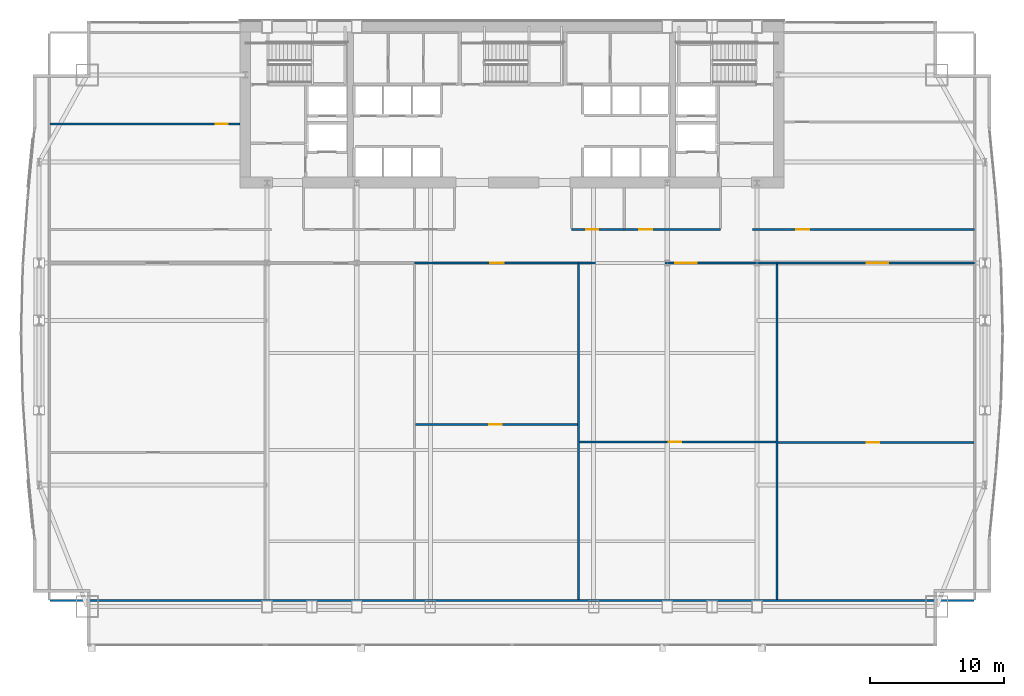
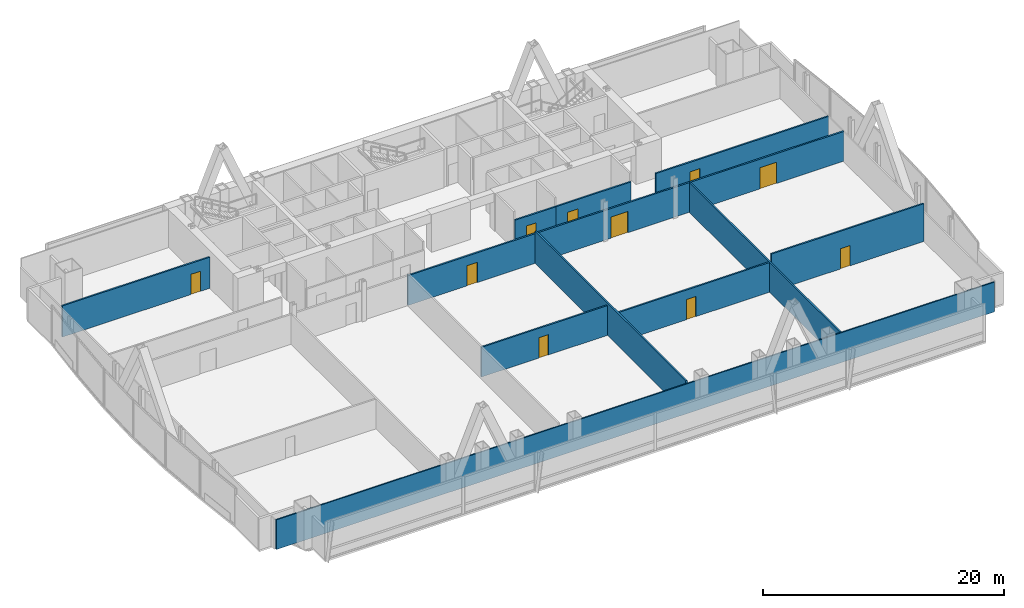
# One storey, part 28 of 33: 13 walls, 10 doors, 10 openings.
"""IFC4 building model written with IfcOpenShell, lengths in metres."""

from ifc_helpers import new_model, si_unit, direction, frame, frame_2d, origin, place, context, subcontext, project, spatial, rectangle, extrude, material, layer, layer_set, type_object, element, fill, save


model = new_model("IFC4")

# Units and contexts
model_context = context("Model", 3, precision=1e-05, world=origin(), true_north=direction((0.0, 1.0)))
body_context = subcontext(model_context, "Body", "Model", "MODEL_VIEW")
ifc_project = project(units=[si_unit("LENGTHUNIT", "METRE"), si_unit("AREAUNIT", "SQUARE_METRE"), si_unit("VOLUMEUNIT", "CUBIC_METRE"), si_unit("PLANEANGLEUNIT", "RADIAN"), si_unit("MASSUNIT", "GRAM", prefix="KILO")], contexts=[model_context])

# Site, building, storey
site_placement = place(None, origin())
site = spatial("IfcSite", under=ifc_project, at=site_placement, CompositionType="ELEMENT")
building_placement = place(site_placement, origin())
building = spatial("IfcBuilding", under=site, at=building_placement, Name="Khoronbel Lancet Exchange", CompositionType="ELEMENT")
storey_placement = place(building_placement, frame((0.0, 0.0, 73.800048828125)))
storey = spatial("IfcBuildingStorey", under=building, at=storey_placement, Name="L17", CompositionType="ELEMENT", Elevation=73.800048828125)

# Wall, opening, door
ifc_material_1 = material(Name="Acoustic Metal-Stud & Mineral-Wool Gypsum Partition 120 mm", Category="gypsum")
ifc_layer_1 = layer(ifc_material_1, 0.1201171875, Name="Acoustic Metal-Stud & Mineral-Wool Gypsum Partition 120 mm")
ifc_layer_set_1 = layer_set([ifc_layer_1], Name="Acoustic Metal-Stud & Mineral-Wool Gypsum Partition 120 mm")
wall_type_1 = type_object("IfcWallType", Name="WL-PRT120", PredefinedType="PARTITIONING", material=ifc_layer_set_1)
wall_1_placement = place(storey_placement, frame((2.094970703125, 46.050048828125, 0.0), z_axis=(0.0, 0.0, 1.0), x_axis=(1.0, 0.0, 0.0)))
wall_1 = element("IfcWall", 1, at=wall_1_placement, inside=storey, type_object=wall_type_1, Name="Level L17 interior partition PW-NW-H", PredefinedType="PARTITIONING", context=body_context, shape_type="SweptSolid", body=[
    extrude(rectangle(XDim=14.10498046875, YDim=0.14990234375, at=frame_2d((7.052490234375, 0.0))), origin(), (0.0, 0.0, 1.0), 3.159912109375),
])
opening_1_placement = place(wall_1_placement, frame((12.320068359375, 0.0, 0.0)))
opening_1 = element("IfcOpeningElement", 2, at=opening_1_placement, cuts=wall_1, Name="Opening D5", PredefinedType="OPENING", context=body_context, shape_type="SweptSolid", body=[
    extrude(rectangle(XDim=0.89990234375, YDim=2.050048828125, at=frame_2d((0.449951171875, 1.02490234375))), frame((0.0, 0.0849609375, 0.0), z_axis=(0.0, -1.0, 0.0), x_axis=(1.0, 0.0, 0.0)), (0.0, 0.0, 1.0), 0.169921875),
])
ifc_material_2 = material(Name="Acoustic Timber Pantry & Support Door", Category="wood")
door_type_1 = type_object("IfcDoorType", Name="DR-D5", OperationType="NOTDEFINED", PredefinedType="DOOR", material=ifc_material_2)
door_1_placement = place(opening_1_placement, origin())
door_1 = element("IfcDoor", 3, at=door_1_placement, inside=storey, type_object=door_type_1, Name="NW north room door L17-1", OperationType="SINGLE_SWING_RIGHT", OverallHeight=2.050048828125, OverallWidth=0.89990234375, PredefinedType="DOOR", context=body_context, shape_type="SweptSolid", body=[
    extrude(rectangle(XDim=0.89990234375, YDim=2.050048828125, at=frame_2d((0.449951171875, 1.02490234375))), frame((0.0, 0.02490234375, 0.0), z_axis=(0.0, -1.0, 0.0), x_axis=(1.0, 0.0, 0.0)), (0.0, 0.0, 1.0), 0.050048828125),
])
fill(opening_1, door_1)

wall_2_placement = place(storey_placement, frame((29.272216796875, 23.69775390625, 0.0), z_axis=(0.0, 0.0, 1.0), x_axis=(1.0, 0.0, 0.0)))
wall_2 = element("IfcWall", 4, at=wall_2_placement, inside=storey, type_object=wall_type_1, Name="Level L17 interior partition PW-Z1S-H3", PredefinedType="PARTITIONING", context=body_context, shape_type="SweptSolid", body=[
    extrude(rectangle(XDim=12.055908203125, YDim=0.14990234375, at=frame_2d((6.02783203125, 0.0))), origin(), (0.0, 0.0, 1.0), 3.010009765625),
])
opening_2_placement = place(wall_2_placement, frame((5.497314453125, 0.0, 0.0)))
opening_2 = element("IfcOpeningElement", 5, at=opening_2_placement, cuts=wall_2, Name="Opening D5", PredefinedType="OPENING", context=body_context, shape_type="SweptSolid", body=[
    extrude(rectangle(XDim=0.89990234375, YDim=2.050048828125, at=frame_2d((0.449951171875, 1.02490234375))), frame((0.0, 0.0849609375, 0.0), z_axis=(0.0, -1.0, 0.0), x_axis=(1.0, 0.0, 0.0)), (0.0, 0.0, 1.0), 0.169921875),
])
door_2_placement = place(opening_2_placement, origin())
door_2 = element("IfcDoor", 6, at=door_2_placement, inside=storey, type_object=door_type_1, Name="Z1S inner door 3 L17-1", OperationType="SINGLE_SWING_LEFT", OverallHeight=2.050048828125, OverallWidth=0.89990234375, PredefinedType="DOOR", context=body_context, shape_type="SweptSolid", body=[
    extrude(rectangle(XDim=0.89990234375, YDim=2.050048828125, at=frame_2d((0.449951171875, 1.02490234375))), frame((0.0, 0.02490234375, 0.0), z_axis=(0.0, -1.0, 0.0), x_axis=(1.0, 0.0, 0.0)), (0.0, 0.0, 1.0), 0.050048828125),
])
fill(opening_2, door_2)

wall_3_placement = place(storey_placement, frame((41.48828125, 22.38037109375, 0.0), z_axis=(0.0, 0.0, 1.0), x_axis=(1.0, 0.0, 0.0)))
wall_3 = element("IfcWall", 7, at=wall_3_placement, inside=storey, type_object=wall_type_1, Name="Level L17 interior partition PW-Z1S-H4", PredefinedType="PARTITIONING", context=body_context, shape_type="SweptSolid", body=[
    extrude(rectangle(XDim=14.585205078125, YDim=0.14990234375, at=frame_2d((7.29248046875, 0.0))), origin(), (0.0, 0.0, 1.0), 3.010009765625),
])
opening_3_placement = place(wall_3_placement, frame((6.635498046875, 0.0, 0.0)))
opening_3 = element("IfcOpeningElement", 8, at=opening_3_placement, cuts=wall_3, Name="Opening D5", PredefinedType="OPENING", context=body_context, shape_type="SweptSolid", body=[
    extrude(rectangle(XDim=0.89990234375, YDim=2.050048828125, at=frame_2d((0.449951171875, 1.02490234375))), frame((0.0, 0.0849609375, 0.0), z_axis=(0.0, -1.0, 0.0), x_axis=(1.0, 0.0, 0.0)), (0.0, 0.0, 1.0), 0.169921875),
])
door_3_placement = place(opening_3_placement, origin())
door_3 = element("IfcDoor", 9, at=door_3_placement, inside=storey, type_object=door_type_1, Name="Z1S inner door 4 L17-1", OperationType="SINGLE_SWING_RIGHT", OverallHeight=2.050048828125, OverallWidth=0.89990234375, PredefinedType="DOOR", context=body_context, shape_type="SweptSolid", body=[
    extrude(rectangle(XDim=0.89990234375, YDim=2.050048828125, at=frame_2d((0.449951171875, 1.02490234375))), frame((0.0, 0.02490234375, 0.0), z_axis=(0.0, -1.0, 0.0), x_axis=(1.0, 0.0, 0.0)), (0.0, 0.0, 1.0), 0.050048828125),
])
fill(opening_3, door_3)

wall_4_placement = place(storey_placement, frame((56.2333984375, 22.348876953125, 0.0), z_axis=(0.0, 0.0, 1.0), x_axis=(1.0, 0.0, 0.0)))
wall_4 = element("IfcWall", 10, at=wall_4_placement, inside=storey, type_object=wall_type_1, Name="Level L17 interior partition PW-Z1S-H5", PredefinedType="PARTITIONING", context=body_context, shape_type="SweptSolid", body=[
    extrude(rectangle(XDim=14.571533203125, YDim=0.14990234375, at=frame_2d((7.28564453125, 0.0))), origin(), (0.0, 0.0, 1.0), 3.820068359375),
])
opening_4_placement = place(wall_4_placement, frame((6.622314453125, 0.0, 0.0)))
opening_4 = element("IfcOpeningElement", 11, at=opening_4_placement, cuts=wall_4, Name="Opening D5", PredefinedType="OPENING", context=body_context, shape_type="SweptSolid", body=[
    extrude(rectangle(XDim=0.89990234375, YDim=2.050048828125, at=frame_2d((0.449951171875, 1.02490234375))), frame((0.0, 0.0849609375, 0.0), z_axis=(0.0, -1.0, 0.0), x_axis=(1.0, 0.0, 0.0)), (0.0, 0.0, 1.0), 0.169921875),
])
door_4_placement = place(opening_4_placement, origin())
door_4 = element("IfcDoor", 12, at=door_4_placement, inside=storey, type_object=door_type_1, Name="Z1S inner door 5 L17-1", OperationType="SINGLE_SWING_LEFT", OverallHeight=2.050048828125, OverallWidth=0.89990234375, PredefinedType="DOOR", context=body_context, shape_type="SweptSolid", body=[
    extrude(rectangle(XDim=0.89990234375, YDim=2.050048828125, at=frame_2d((0.449951171875, 1.02490234375))), frame((0.0, 0.02490234375, 0.0), z_axis=(0.0, -1.0, 0.0), x_axis=(1.0, 0.0, 0.0)), (0.0, 0.0, 1.0), 0.050048828125),
])
fill(opening_4, door_4)

# Wall
wall_5_placement = place(storey_placement, frame((2.094970703125, 10.60009765625, 0.0), z_axis=(0.0, 0.0, 1.0), x_axis=(1.0, 0.0, 0.0)))
element("IfcWall", 13, at=wall_5_placement, inside=storey, type_object=wall_type_1, Name="Level L17 interior partition PW-LIN-S", PredefinedType="PARTITIONING", context=body_context, shape_type="SweptSolid", body=[
    extrude(rectangle(XDim=68.7099609375, YDim=0.1201171875, at=frame_2d((34.35498046875, 0.0))), origin(), (0.0, 0.0, 1.0), 3.010009765625),
])

# Wall, opening, door
ifc_material_3 = material(Name="Fire-Rated Twin-Stud Acoustic Gypsum Partition 150 mm", Category="gypsum")
ifc_layer_2 = layer(ifc_material_3, 0.14990234375, Name="Fire-Rated Twin-Stud Acoustic Gypsum Partition 150 mm")
ifc_layer_set_2 = layer_set([ifc_layer_2], Name="Fire-Rated Twin-Stud Acoustic Gypsum Partition 150 mm")
wall_type_2 = type_object("IfcWallType", Name="WL-PRT150C", PredefinedType="PARTITIONING", material=ifc_layer_set_2)
wall_6_placement = place(storey_placement, frame((40.8798828125, 38.199951171875, 0.0), z_axis=(0.0, 0.0, 1.0), x_axis=(1.0, 0.0, 0.0)))
wall_6 = element("IfcWall", 14, at=wall_6_placement, inside=storey, type_object=wall_type_2, Name="Level L17 interior partition PW-NP-S1", PredefinedType="PARTITIONING", context=body_context, shape_type="SweptSolid", body=[
    extrude(rectangle(XDim=3.920166015625, YDim=0.14990234375, at=frame_2d((1.9599609375, 0.0))), origin(), (0.0, 0.0, 1.0), 3.010009765625),
])
opening_5_placement = place(wall_6_placement, frame((1.10009765625, 0.0, 0.0)))
opening_5 = element("IfcOpeningElement", 15, at=opening_5_placement, cuts=wall_6, Name="Opening D5", PredefinedType="OPENING", context=body_context, shape_type="SweptSolid", body=[
    extrude(rectangle(XDim=0.89990234375, YDim=2.050048828125, at=frame_2d((0.449951171875, 1.02490234375))), frame((0.0, 0.0849609375, 0.0), z_axis=(0.0, -1.0, 0.0), x_axis=(1.0, 0.0, 0.0)), (0.0, 0.0, 1.0), 0.169921875),
])
door_5_placement = place(opening_5_placement, origin())
door_5 = element("IfcDoor", 16, at=door_5_placement, inside=storey, type_object=door_type_1, Name="Floor refreshment pantry door L17-1", OperationType="SINGLE_SWING_RIGHT", OverallHeight=2.050048828125, OverallWidth=0.89990234375, PredefinedType="DOOR", context=body_context, shape_type="SweptSolid", body=[
    extrude(rectangle(XDim=0.89990234375, YDim=2.050048828125, at=frame_2d((0.449951171875, 1.02490234375))), frame((0.0, 0.02490234375, 0.0), z_axis=(0.0, -1.0, 0.0), x_axis=(1.0, 0.0, 0.0)), (0.0, 0.0, 1.0), 0.050048828125),
])
fill(opening_5, door_5)

wall_7_placement = place(storey_placement, frame((44.800048828125, 38.199951171875, 0.0), z_axis=(0.0, 0.0, 1.0), x_axis=(1.0, 0.0, 0.0)))
wall_7 = element("IfcWall", 17, at=wall_7_placement, inside=storey, type_object=wall_type_2, Name="Level L17 interior partition PW-NP-S2", PredefinedType="PARTITIONING", context=body_context, shape_type="SweptSolid", body=[
    extrude(rectangle(XDim=7.14990234375, YDim=0.14990234375, at=frame_2d((3.574951171875, 0.0))), origin(), (0.0, 0.0, 1.0), 3.010009765625),
])
opening_6_placement = place(wall_7_placement, frame((1.10009765625, 0.0, 0.0)))
opening_6 = element("IfcOpeningElement", 18, at=opening_6_placement, cuts=wall_7, Name="Opening D2", PredefinedType="OPENING", context=body_context, shape_type="SweptSolid", body=[
    extrude(rectangle(XDim=1.0, YDim=2.050048828125, at=frame_2d((0.5, 1.02490234375))), frame((0.0, 0.0849609375, 0.0), z_axis=(0.0, -1.0, 0.0), x_axis=(1.0, 0.0, 0.0)), (0.0, 0.0, 1.0), 0.169921875),
])
ifc_material_4 = material(Name="Acoustic Veneered Timber & Bronze Frame Door", Category="wood")
door_type_2 = type_object("IfcDoorType", Name="DR-D2", OperationType="NOTDEFINED", PredefinedType="DOOR", material=ifc_material_4)
door_6_placement = place(opening_6_placement, origin())
door_6 = element("IfcDoor", 19, at=door_6_placement, inside=storey, type_object=door_type_2, Name="Floor store door L17-1", OperationType="SINGLE_SWING_LEFT", OverallHeight=2.050048828125, OverallWidth=1.0, PredefinedType="DOOR", context=body_context, shape_type="SweptSolid", body=[
    extrude(rectangle(XDim=1.0, YDim=2.050048828125, at=frame_2d((0.5, 1.02490234375))), frame((0.0, 0.02490234375, 0.0), z_axis=(0.0, -1.0, 0.0), x_axis=(1.0, 0.0, 0.0)), (0.0, 0.0, 1.0), 0.050048828125),
])
fill(opening_6, door_6)

wall_8_placement = place(storey_placement, frame((54.35009765625, 38.199951171875, 0.0), z_axis=(0.0, 0.0, 1.0), x_axis=(1.0, 0.0, 0.0)))
wall_8 = element("IfcWall", 20, at=wall_8_placement, inside=storey, type_object=wall_type_2, Name="Level L17 interior partition PW-NE-S", PredefinedType="PARTITIONING", context=body_context, shape_type="SweptSolid", body=[
    extrude(rectangle(XDim=16.52001953125, YDim=0.14990234375, at=frame_2d((8.260009765625, 0.0))), origin(), (0.0, 0.0, 1.0), 3.010009765625),
])
opening_7_placement = place(wall_8_placement, frame((3.25, 0.0, 0.0)))
opening_7 = element("IfcOpeningElement", 21, at=opening_7_placement, cuts=wall_8, Name="Opening D1", PredefinedType="OPENING", context=body_context, shape_type="SweptSolid", body=[
    extrude(rectangle(XDim=0.949951171875, YDim=2.050048828125, at=frame_2d((0.47509765625, 1.02490234375))), frame((0.0, 0.0849609375, 0.0), z_axis=(0.0, -1.0, 0.0), x_axis=(1.0, 0.0, 0.0)), (0.0, 0.0, 1.0), 0.169921875),
])
door_type_3 = type_object("IfcDoorType", Name="DR-D1", OperationType="NOTDEFINED", PredefinedType="DOOR", material=ifc_material_4)
door_7_placement = place(opening_7_placement, origin())
door_7 = element("IfcDoor", 22, at=door_7_placement, inside=storey, type_object=door_type_3, Name="NE corner room door L17-1", OperationType="SINGLE_SWING_LEFT", OverallHeight=2.050048828125, OverallWidth=0.949951171875, PredefinedType="DOOR", context=body_context, shape_type="SweptSolid", body=[
    extrude(rectangle(XDim=0.949951171875, YDim=2.050048828125, at=frame_2d((0.47509765625, 1.02490234375))), frame((0.0, 0.02490234375, 0.0), z_axis=(0.0, -1.0, 0.0), x_axis=(1.0, 0.0, 0.0)), (0.0, 0.0, 1.0), 0.050048828125),
])
fill(opening_7, door_7)

# Walls
wall_9_placement = place(storey_placement, frame((41.408203125, 10.6650390625, 0.0), z_axis=(0.0, 0.0, 1.0), x_axis=(0.0, 1.0, 0.0)))
element("IfcWall", 23, at=wall_9_placement, inside=storey, type_object=wall_type_2, Name="Level L17 interior partition PW-Z1S-V3", PredefinedType="PARTITIONING", context=body_context, shape_type="SweptSolid", body=[
    extrude(rectangle(XDim=24.949951171875, YDim=0.14990234375, at=frame_2d((12.47509765625, 0.0))), origin(), (0.0, 0.0, 1.0), 3.260009765625),
])
wall_10_placement = place(storey_placement, frame((56.153564453125, 10.6650390625, 0.0), z_axis=(0.0, 0.0, 1.0), x_axis=(0.0, 1.0, 0.0)))
element("IfcWall", 24, at=wall_10_placement, inside=storey, type_object=wall_type_2, Name="Level L17 interior partition PW-Z1S-V4", PredefinedType="PARTITIONING", context=body_context, shape_type="SweptSolid", body=[
    extrude(rectangle(XDim=24.949951171875, YDim=0.14990234375, at=frame_2d((12.47509765625, 0.0))), origin(), (0.0, 0.0, 1.0), 3.010009765625),
])

# Wall, opening, door
ifc_material_5 = material(Name="Fire-Rated Twin-Stud Acoustic Gypsum Partition 160 mm", Category="gypsum")
ifc_layer_3 = layer(ifc_material_5, 0.159912109375, Name="Fire-Rated Twin-Stud Acoustic Gypsum Partition 160 mm")
ifc_layer_set_3 = layer_set([ifc_layer_3], Name="Fire-Rated Twin-Stud Acoustic Gypsum Partition 160 mm")
wall_type_3 = type_object("IfcWallType", Name="WL-PRT160C", PredefinedType="PARTITIONING", material=ifc_layer_set_3)
wall_11_placement = place(storey_placement, frame((29.1923828125, 35.699951171875, 0.0), z_axis=(0.0, 0.0, 1.0), x_axis=(1.0, 0.0, 0.0)))
wall_11 = element("IfcWall", 25, at=wall_11_placement, inside=storey, type_object=wall_type_3, Name="Level L17 interior partition PW-Z1S-COR3", PredefinedType="PARTITIONING", context=body_context, shape_type="SweptSolid", body=[
    extrude(rectangle(XDim=12.2158203125, YDim=0.159912109375, at=frame_2d((6.10791015625, 0.0))), origin(), (0.0, 0.0, 1.0), 3.010009765625),
])
opening_8_placement = place(wall_11_placement, frame((5.630615234375, 0.0, 0.0)))
opening_8 = element("IfcOpeningElement", 26, at=opening_8_placement, cuts=wall_11, Name="Opening D2", PredefinedType="OPENING", context=body_context, shape_type="SweptSolid", body=[
    extrude(rectangle(XDim=1.0, YDim=2.050048828125, at=frame_2d((0.5, 1.02490234375))), frame((0.0, 0.08984375, 0.0), z_axis=(0.0, -1.0, 0.0), x_axis=(1.0, 0.0, 0.0)), (0.0, 0.0, 1.0), 0.179931640625),
])
door_8_placement = place(opening_8_placement, origin())
door_8 = element("IfcDoor", 27, at=door_8_placement, inside=storey, type_object=door_type_2, Name="Z1S bay 3 door L17-1", OperationType="SINGLE_SWING_RIGHT", OverallHeight=2.050048828125, OverallWidth=1.0, PredefinedType="DOOR", context=body_context, shape_type="SweptSolid", body=[
    extrude(rectangle(XDim=1.0, YDim=2.050048828125, at=frame_2d((0.5, 1.02490234375))), frame((0.0, 0.02490234375, 0.0), z_axis=(0.0, -1.0, 0.0), x_axis=(1.0, 0.0, 0.0)), (0.0, 0.0, 1.0), 0.050048828125),
])
fill(opening_8, door_8)

wall_12_placement = place(storey_placement, frame((41.408203125, 35.699951171875, 0.0), z_axis=(0.0, 0.0, 1.0), x_axis=(1.0, 0.0, 0.0)))
wall_12 = element("IfcWall", 28, at=wall_12_placement, inside=storey, type_object=wall_type_3, Name="Level L17 interior partition PW-Z1S-COR4", PredefinedType="PARTITIONING", context=body_context, shape_type="SweptSolid", body=[
    extrude(rectangle(XDim=14.745361328125, YDim=0.159912109375, at=frame_2d((7.37255859375, 0.0))), origin(), (0.0, 0.0, 1.0), 3.010009765625),
])
opening_9_placement = place(wall_12_placement, frame((7.193115234375, 0.0, 0.0)))
opening_9 = element("IfcOpeningElement", 29, at=opening_9_placement, cuts=wall_12, Name="Opening D3", PredefinedType="OPENING", context=body_context, shape_type="SweptSolid", body=[
    extrude(rectangle(XDim=1.60009765625, YDim=2.14990234375, at=frame_2d((0.800048828125, 1.074951171875))), frame((0.0, 0.08984375, 0.0), z_axis=(0.0, -1.0, 0.0), x_axis=(1.0, 0.0, 0.0)), (0.0, 0.0, 1.0), 0.179931640625),
])
ifc_material_6 = material(Name="Glazed Bronze-Framed Double Suite Door", Category="aluminium")
door_type_4 = type_object("IfcDoorType", Name="DR-D3", OperationType="NOTDEFINED", PredefinedType="DOOR", material=ifc_material_6)
door_9_placement = place(opening_9_placement, origin())
door_9 = element("IfcDoor", 30, at=door_9_placement, inside=storey, type_object=door_type_4, Name="Z1S bay 4 door L17-1", OperationType="DOUBLE_DOOR_SINGLE_SWING", OverallHeight=2.14990234375, OverallWidth=1.60009765625, PredefinedType="DOOR", context=body_context, shape_type="SweptSolid", body=[
    extrude(rectangle(XDim=1.60009765625, YDim=2.14990234375, at=frame_2d((0.800048828125, 1.074951171875))), frame((0.0, 0.02490234375, 0.0), z_axis=(0.0, -1.0, 0.0), x_axis=(1.0, 0.0, 0.0)), (0.0, 0.0, 1.0), 0.050048828125),
])
fill(opening_9, door_9)

wall_13_placement = place(storey_placement, frame((56.153564453125, 35.699951171875, 0.0), z_axis=(0.0, 0.0, 1.0), x_axis=(1.0, 0.0, 0.0)))
wall_13 = element("IfcWall", 31, at=wall_13_placement, inside=storey, type_object=wall_type_3, Name="Level L17 interior partition PW-Z1S-COR5", PredefinedType="PARTITIONING", context=body_context, shape_type="SweptSolid", body=[
    extrude(rectangle(XDim=14.716552734375, YDim=0.159912109375, at=frame_2d((7.3583984375, 0.0))), origin(), (0.0, 0.0, 1.0), 3.010009765625),
])
opening_10_placement = place(wall_13_placement, frame((6.680908203125, 0.0, 0.0)))
opening_10 = element("IfcOpeningElement", 32, at=opening_10_placement, cuts=wall_13, Name="Opening D3", PredefinedType="OPENING", context=body_context, shape_type="SweptSolid", body=[
    extrude(rectangle(XDim=1.60009765625, YDim=2.14990234375, at=frame_2d((0.800048828125, 1.074951171875))), frame((0.0, 0.08984375, 0.0), z_axis=(0.0, -1.0, 0.0), x_axis=(1.0, 0.0, 0.0)), (0.0, 0.0, 1.0), 0.179931640625),
])
door_10_placement = place(opening_10_placement, origin())
door_10 = element("IfcDoor", 33, at=door_10_placement, inside=storey, type_object=door_type_4, Name="Z1S bay 5 door L17-1", OperationType="DOUBLE_DOOR_SINGLE_SWING", OverallHeight=2.14990234375, OverallWidth=1.60009765625, PredefinedType="DOOR", context=body_context, shape_type="SweptSolid", body=[
    extrude(rectangle(XDim=1.60009765625, YDim=2.14990234375, at=frame_2d((0.800048828125, 1.074951171875))), frame((0.0, 0.02490234375, 0.0), z_axis=(0.0, -1.0, 0.0), x_axis=(1.0, 0.0, 0.0)), (0.0, 0.0, 1.0), 0.050048828125),
])
fill(opening_10, door_10)

save(model, "model.ifc")
